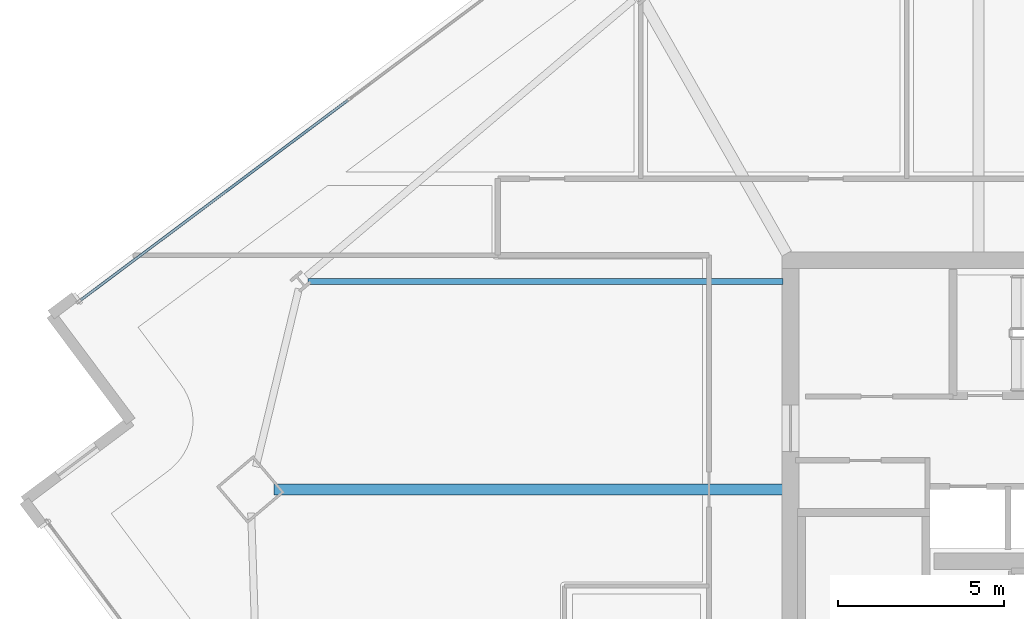
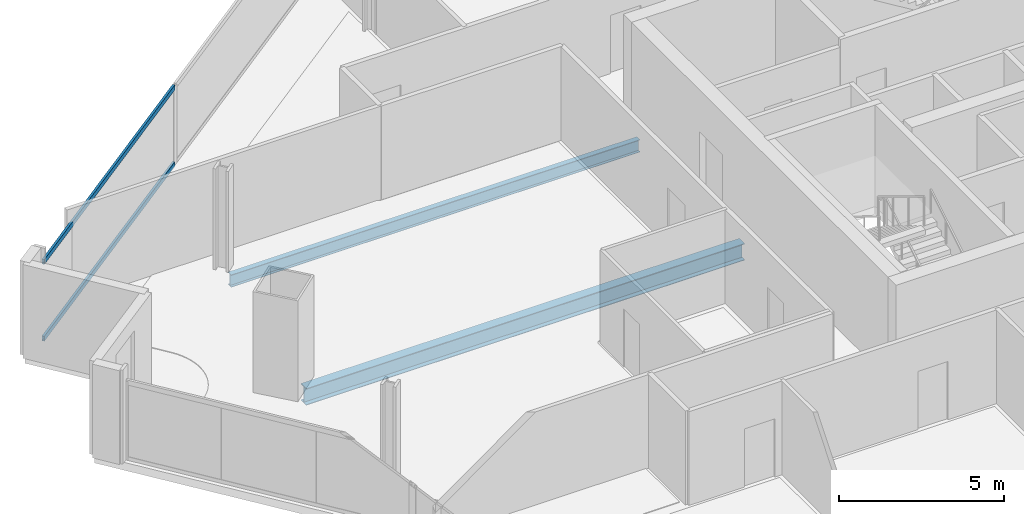
# One storey, part 13 of 32: 2 beams, 2 members, 1 element without a shape of its own.
"""IFC4 building model written with IfcOpenShell, lengths in metres."""

from ifc_helpers import new_model, si_unit, direction, frame, origin, origin_2d, place, context, subcontext, project, spatial, hollow_rectangle, i_section, extrude, material, material_profile, profile_set, type_object, element, aggregate, save


model = new_model("IFC4")

# Units and contexts
model_context = context("Model", 3, precision=1e-05, world=origin(), true_north=direction((0.0, 1.0)))
body_context = subcontext(model_context, "Body", "Model", "MODEL_VIEW")
ifc_project = project(units=[si_unit("LENGTHUNIT", "METRE"), si_unit("AREAUNIT", "SQUARE_METRE"), si_unit("VOLUMEUNIT", "CUBIC_METRE"), si_unit("PLANEANGLEUNIT", "RADIAN"), si_unit("MASSUNIT", "GRAM", prefix="KILO")], contexts=[model_context])

# Site, building, storey
site_placement = place(None, origin())
site = spatial("IfcSite", under=ifc_project, at=site_placement, CompositionType="ELEMENT")
building_placement = place(site_placement, origin())
building = spatial("IfcBuilding", under=site, at=building_placement, Name="Haldenkirk Collegiate Tower", CompositionType="ELEMENT")
storey_placement = place(building_placement, frame((0.0, 0.0, 151.949951171875)))
storey = spatial("IfcBuildingStorey", under=building, at=storey_placement, Name="L37", CompositionType="ELEMENT", Elevation=151.949951171875)

# Beams
ifc_material_1 = material(Name="Steel ASTM A992 Grade 50", Category="steel")
ifc_material_profile_1 = material_profile(ifc_material_1, i_section(OverallWidth=0.324951171875, OverallDepth=0.615966796875, WebThickness=0.013916015625, FlangeThickness=0.021484375, at=origin_2d()), Name="W24X117")
ifc_profile_set_1 = profile_set([ifc_material_profile_1], Name="Steel ASTM A992 Grade 50")
beam_type_1 = type_object("IfcBeamType", Name="BM-GIRDER-W24X117", PredefinedType="BEAM", material=ifc_profile_set_1)
beam_1_placement = place(storey_placement, frame((11.466064453125, 27.103759765625, -0.597900390625), z_axis=(1.0, 0.0, 0.0), x_axis=(0.0, 1.0, 0.0)))
element("IfcBeam", 1, at=beam_1_placement, inside=storey, type_object=beam_type_1, Name="L37 primary floor girder 04", PredefinedType="BEAM", context=body_context, shape_type="SweptSolid", body=[
    extrude(i_section(OverallWidth=0.324951171875, OverallDepth=0.615966796875, WebThickness=0.013916015625, FlangeThickness=0.021484375, at=origin_2d()), origin(), (0.0, 0.0, 1.0), 15.303955078125),
])
ifc_material_profile_2 = material_profile(ifc_material_1, i_section(OverallWidth=0.18994140625, OverallDepth=0.45703125, WebThickness=0.009033203125, FlangeThickness=0.014404296875, at=origin_2d()), Name="W18X50")
ifc_profile_set_2 = profile_set([ifc_material_profile_2], Name="Steel ASTM A992 Grade 50")
beam_type_2 = type_object("IfcBeamType", Name="BM-JOIST-W18X50", PredefinedType="JOIST", material=ifc_profile_set_2)
beam_2_placement = place(storey_placement, frame((12.4990234375, 33.360107421875, -0.5185546875), z_axis=(1.0, 0.0, 0.0), x_axis=(0.0, 1.0, 0.0)))
element("IfcBeam", 2, at=beam_2_placement, inside=storey, type_object=beam_type_2, Name="L37 composite floor joist 13", PredefinedType="JOIST", context=body_context, shape_type="SweptSolid", body=[
    extrude(i_section(OverallWidth=0.18994140625, OverallDepth=0.45703125, WebThickness=0.009033203125, FlangeThickness=0.014404296875, at=origin_2d()), origin(), (0.0, 0.0, 1.0), 14.27099609375),
])

# Curtain wall, members
ifc_material_2 = material(Name="Anodised architectural bronze aluminium", Category="aluminium")
curtain_wall_type = type_object("IfcCurtainWallType", Name="CW-SYS1-CONVEX-LOW", PredefinedType="USERDEFINED", material=ifc_material_2)
curtain_wall_placement = place(storey_placement, origin())
curtain_wall = element("IfcCurtainWall", 3, at=curtain_wall_placement, inside=storey, type_object=curtain_wall_type, Name="L37 Lower tower convex bronze-framed unitised curtain wall", ObjectType="UNITISED CURTAIN WALL", PredefinedType="USERDEFINED")
ifc_material_profile_3 = material_profile(ifc_material_2, hollow_rectangle(XDim=0.080078125, YDim=0.179931640625, WallThickness=0.0048828125, at=origin_2d()), Name="CW-TRN-1A")
ifc_profile_set_3 = profile_set([ifc_material_profile_3], Name="Anodised architectural bronze aluminium")
member_type = type_object("IfcMemberType", Name="CW-TRN-1A", PredefinedType="USERDEFINED", material=ifc_profile_set_3)
member_1_placement = place(storey_placement, frame((5.66015625, 32.801025390625, 0.0400390625), z_axis=(0.800732541496, 0.599022033809, 0.0), x_axis=(-0.599022033809, 0.800732541496, 0.0)))
member_1 = element("IfcMember", 4, at=member_1_placement, type_object=member_type, Name="CW-1A transom 1.1", ObjectType="TRANSOM", PredefinedType="USERDEFINED", context=body_context, shape_type="SweptSolid", body=[
    extrude(hollow_rectangle(XDim=0.080078125, YDim=0.179931640625, WallThickness=0.0048828125, at=origin_2d()), origin(), (0.0, 0.0, 1.0), 10.0302734375),
])
member_2_placement = place(storey_placement, frame((5.66015625, 32.801025390625, 2.87109375), z_axis=(0.800732541496, 0.599022033809, 0.0), x_axis=(-0.599022033809, 0.800732541496, 0.0)))
member_2 = element("IfcMember", 5, at=member_2_placement, type_object=member_type, Name="CW-1A transom 1.2", ObjectType="TRANSOM", PredefinedType="USERDEFINED", context=body_context, shape_type="SweptSolid", body=[
    extrude(hollow_rectangle(XDim=0.080078125, YDim=0.179931640625, WallThickness=0.0048828125, at=origin_2d()), origin(), (0.0, 0.0, 1.0), 10.0302734375),
])
aggregate(curtain_wall, [member_1, member_2])

save(model, "model.ifc")
